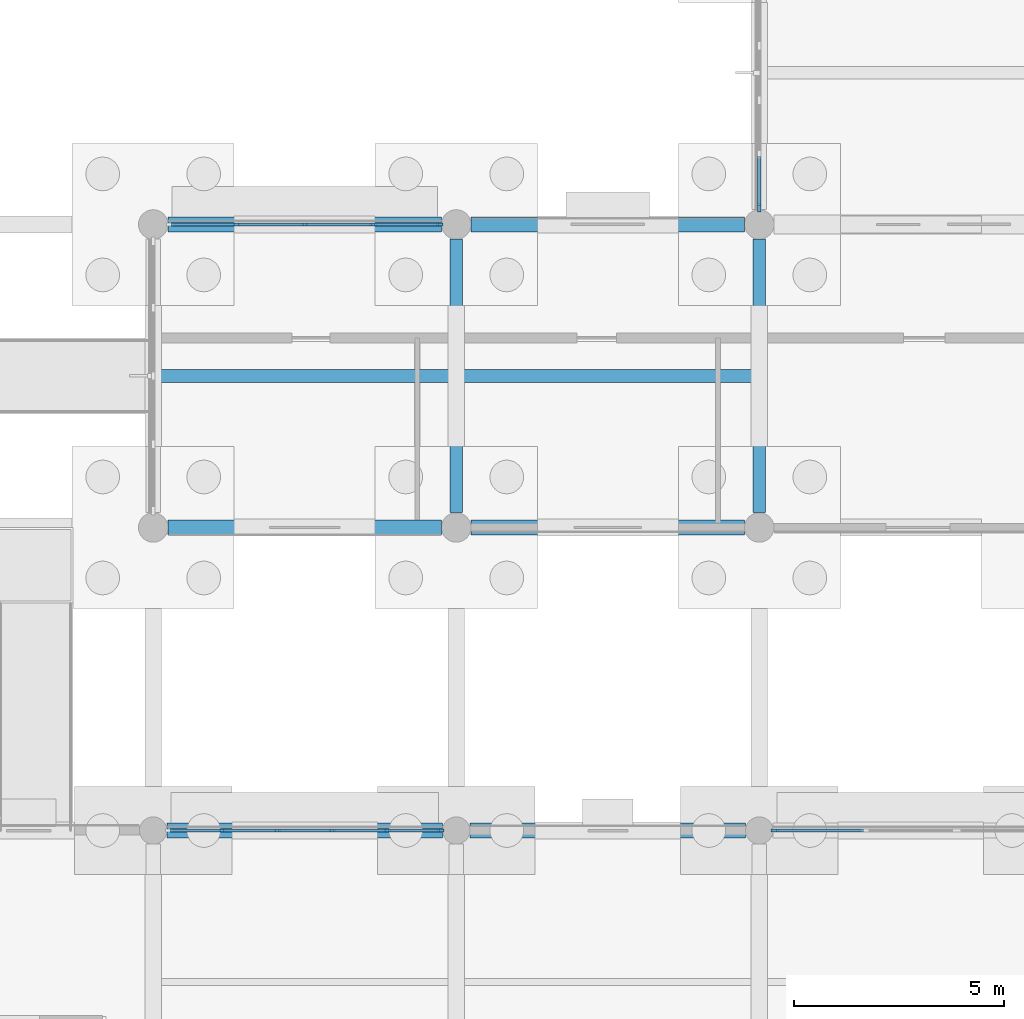
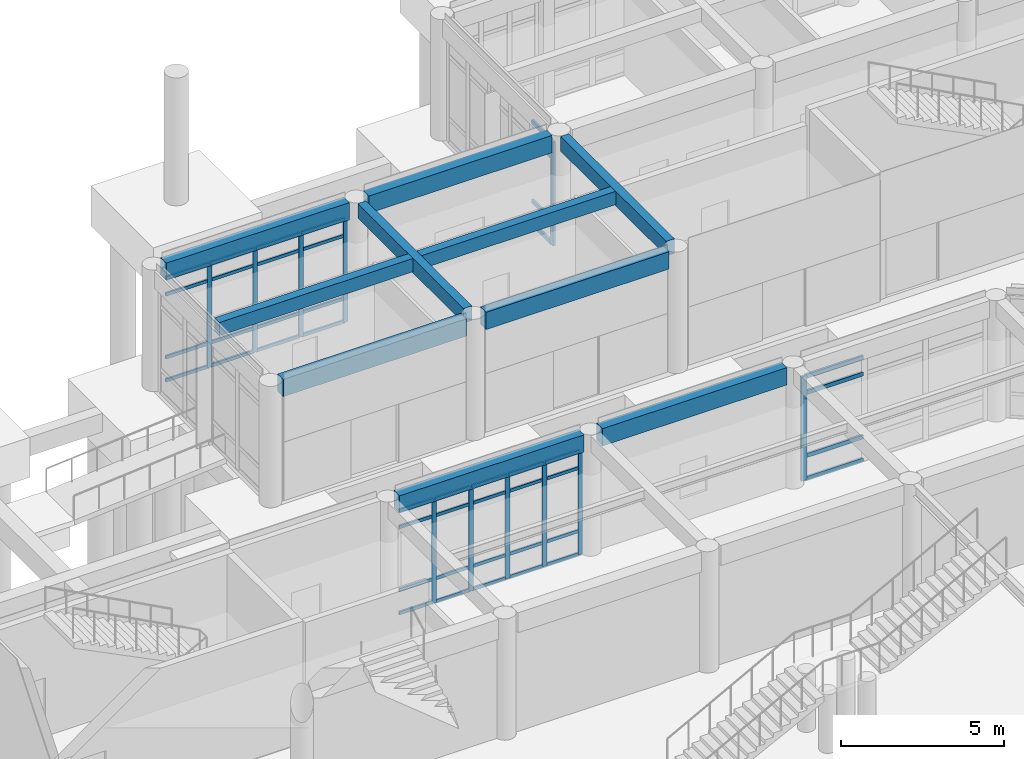
# One storey, part 27 of 103: 55 members, 10 beams, 4 elements without a shape of their own.
"""IFC4 building model written with IfcOpenShell, lengths in metres."""

from ifc_helpers import new_model, si_unit, direction, frame, origin, origin_2d, place, context, subcontext, project, spatial, rectangle, extrude, material, layer, layer_set, material_profile, profile_set, type_object, element, aggregate, save


model = new_model("IFC4")

# Units and contexts
model_context = context("Model", 3, precision=1e-05, world=origin(), true_north=direction((0.0, 1.0)))
body_context = subcontext(model_context, "Body", "Model", "MODEL_VIEW")
ifc_project = project(units=[si_unit("LENGTHUNIT", "METRE"), si_unit("AREAUNIT", "SQUARE_METRE"), si_unit("VOLUMEUNIT", "CUBIC_METRE"), si_unit("PLANEANGLEUNIT", "RADIAN"), si_unit("MASSUNIT", "GRAM", prefix="KILO")], contexts=[model_context])

# Site, building, storey
site_placement = place(None, origin())
site = spatial("IfcSite", under=ifc_project, at=site_placement, CompositionType="ELEMENT")
building_placement = place(site_placement, origin())
building = spatial("IfcBuilding", under=site, at=building_placement, Name="Namkhue Oval Health Centre", CompositionType="ELEMENT")
storey_placement = place(building_placement, origin())
storey = spatial("IfcBuildingStorey", under=building, at=storey_placement, Name="L00", CompositionType="ELEMENT", Elevation=0.0)

# Curtain wall, members
ifc_material_1 = material(Name="Anodised aluminium EN AW-6063 T6", Category="aluminium")
ifc_layer_1 = layer(ifc_material_1, 0.159912109375)
ifc_layer_set_1 = layer_set([ifc_layer_1], Name="Anodised aluminium EN AW-6063 T6")
curtain_wall_type_1 = type_object("IfcCurtainWallType", Name="UNITISED CURTAIN WALL M1200", PredefinedType="NOTDEFINED", material=ifc_layer_set_1)
curtain_wall_1_placement = place(storey_placement, origin())
curtain_wall_1 = element("IfcCurtainWall", 1, at=curtain_wall_1_placement, inside=storey, type_object=curtain_wall_type_1, Name="Volume V1 L00 Unitised Curtain Wall 13", PredefinedType="NOTDEFINED")
ifc_material_profile_1 = material_profile(ifc_material_1, rectangle(XDim=0.06494140625, YDim=0.159912109375, at=origin_2d()), Name="ALU 65x160")
ifc_profile_set_1 = profile_set([ifc_material_profile_1], Name="Anodised aluminium EN AW-6063 T6")
member_type_1 = type_object("IfcMemberType", Name="CURTAIN WALL MULLION 65X160", PredefinedType="MULLION", material=ifc_profile_set_1)
member_1_placement = place(storey_placement, frame((42.83251953125, 82.800048828125, 0.0), z_axis=(0.0, 0.0, 1.0), x_axis=(0.0, -1.0, 0.0)))
member_1 = element("IfcMember", 2, at=member_1_placement, type_object=member_type_1, Name="CW-01 mullion 1", PredefinedType="MULLION", context=body_context, shape_type="SweptSolid", body=[
    extrude(rectangle(XDim=0.06494140625, YDim=0.159912109375, at=origin_2d()), origin(), (0.0, 0.0, 1.0), 3.9150390625),
])
member_2_placement = place(storey_placement, frame((41.55908203125, 82.800048828125, 0.0), z_axis=(0.0, 0.0, 1.0), x_axis=(0.0, -1.0, 0.0)))
member_2 = element("IfcMember", 3, at=member_2_placement, type_object=member_type_1, Name="CW-01 mullion 2", PredefinedType="MULLION", context=body_context, shape_type="SweptSolid", body=[
    extrude(rectangle(XDim=0.06494140625, YDim=0.159912109375, at=origin_2d()), origin(), (0.0, 0.0, 1.0), 3.9150390625),
])
member_3_placement = place(storey_placement, frame((40.2529296875, 82.800048828125, 0.0), z_axis=(0.0, 0.0, 1.0), x_axis=(0.0, -1.0, 0.0)))
member_3 = element("IfcMember", 4, at=member_3_placement, type_object=member_type_1, Name="CW-01 mullion 3", PredefinedType="MULLION", context=body_context, shape_type="SweptSolid", body=[
    extrude(rectangle(XDim=0.06494140625, YDim=0.159912109375, at=origin_2d()), origin(), (0.0, 0.0, 1.0), 3.9150390625),
])
member_4_placement = place(storey_placement, frame((38.947021484375, 82.800048828125, 0.0), z_axis=(0.0, 0.0, 1.0), x_axis=(0.0, -1.0, 0.0)))
member_4 = element("IfcMember", 5, at=member_4_placement, type_object=member_type_1, Name="CW-01 mullion 4", PredefinedType="MULLION", context=body_context, shape_type="SweptSolid", body=[
    extrude(rectangle(XDim=0.06494140625, YDim=0.159912109375, at=origin_2d()), origin(), (0.0, 0.0, 1.0), 3.9150390625),
])
member_5_placement = place(storey_placement, frame((37.64111328125, 82.800048828125, 0.0), z_axis=(0.0, 0.0, 1.0), x_axis=(0.0, -1.0, 0.0)))
member_5 = element("IfcMember", 6, at=member_5_placement, type_object=member_type_1, Name="CW-01 mullion 5", PredefinedType="MULLION", context=body_context, shape_type="SweptSolid", body=[
    extrude(rectangle(XDim=0.06494140625, YDim=0.159912109375, at=origin_2d()), origin(), (0.0, 0.0, 1.0), 3.9150390625),
])

ifc_layer_2 = layer(ifc_material_1, 0.159912109375)
ifc_layer_set_2 = layer_set([ifc_layer_2], Name="Anodised aluminium EN AW-6063 T6")
curtain_wall_type_2 = type_object("IfcCurtainWallType", Name="UNITISED CURTAIN WALL M1500", PredefinedType="NOTDEFINED", material=ifc_layer_set_2)
curtain_wall_2_placement = place(storey_placement, origin())
curtain_wall_2 = element("IfcCurtainWall", 7, at=curtain_wall_2_placement, inside=storey, type_object=curtain_wall_type_2, Name="Volume V2 L00 Unitised Curtain Wall 45", PredefinedType="NOTDEFINED")
member_6_placement = place(storey_placement, frame((42.8076171875, 97.199951171875, 0.0), z_axis=(0.0, 0.0, 1.0), x_axis=(0.0, -1.0, 0.0)))
member_6 = element("IfcMember", 8, at=member_6_placement, type_object=member_type_1, Name="CW-03 mullion 1", PredefinedType="MULLION", context=body_context, shape_type="SweptSolid", body=[
    extrude(rectangle(XDim=0.06494140625, YDim=0.159912109375, at=origin_2d()), origin(), (0.0, 0.0, 1.0), 3.909912109375),
])
member_7_placement = place(storey_placement, frame((41.219970703125, 97.199951171875, 0.0), z_axis=(0.0, 0.0, 1.0), x_axis=(0.0, -1.0, 0.0)))
member_7 = element("IfcMember", 9, at=member_7_placement, type_object=member_type_1, Name="CW-03 mullion 2", PredefinedType="MULLION", context=body_context, shape_type="SweptSolid", body=[
    extrude(rectangle(XDim=0.06494140625, YDim=0.159912109375, at=origin_2d()), origin(), (0.0, 0.0, 1.0), 3.909912109375),
])
member_8_placement = place(storey_placement, frame((39.60009765625, 97.199951171875, 0.0), z_axis=(0.0, 0.0, 1.0), x_axis=(0.0, -1.0, 0.0)))
member_8 = element("IfcMember", 10, at=member_8_placement, type_object=member_type_1, Name="CW-03 mullion 3", PredefinedType="MULLION", context=body_context, shape_type="SweptSolid", body=[
    extrude(rectangle(XDim=0.06494140625, YDim=0.159912109375, at=origin_2d()), origin(), (0.0, 0.0, 1.0), 3.909912109375),
])
member_9_placement = place(storey_placement, frame((37.97998046875, 97.199951171875, 0.0), z_axis=(0.0, 0.0, 1.0), x_axis=(0.0, -1.0, 0.0)))
member_9 = element("IfcMember", 11, at=member_9_placement, type_object=member_type_1, Name="CW-03 mullion 4", PredefinedType="MULLION", context=body_context, shape_type="SweptSolid", body=[
    extrude(rectangle(XDim=0.06494140625, YDim=0.159912109375, at=origin_2d()), origin(), (0.0, 0.0, 1.0), 3.909912109375),
])

# Curtain wall, member
ifc_layer_3 = layer(ifc_material_1, 0.159912109375)
ifc_layer_set_3 = layer_set([ifc_layer_3], Name="Anodised aluminium EN AW-6063 T6")
curtain_wall_type_3 = type_object("IfcCurtainWallType", Name="UNITISED CURTAIN WALL M2000", PredefinedType="NOTDEFINED", material=ifc_layer_set_3)
curtain_wall_3_placement = place(storey_placement, origin())
curtain_wall_3 = element("IfcCurtainWall", 12, at=curtain_wall_3_placement, inside=storey, type_object=curtain_wall_type_3, Name="Volume V1 L00 Unitised Curtain Wall 12", PredefinedType="NOTDEFINED")
ifc_material_profile_2 = material_profile(ifc_material_1, rectangle(XDim=0.074951171875, YDim=0.199951171875, at=origin_2d()), Name="ALU 75x200")
ifc_profile_set_2 = profile_set([ifc_material_profile_2], Name="Anodised aluminium EN AW-6063 T6")
member_type_2 = type_object("IfcMemberType", Name="CURTAIN WALL MULLION 75X200", PredefinedType="MULLION", material=ifc_profile_set_2)
member_10_placement = place(storey_placement, frame((50.7724609375, 82.800048828125, 0.0), z_axis=(0.0, 0.0, 1.0), x_axis=(0.0, -1.0, 0.0)))
member_10 = element("IfcMember", 13, at=member_10_placement, type_object=member_type_2, Name="CW-06 mullion 4", PredefinedType="MULLION", context=body_context, shape_type="SweptSolid", body=[
    extrude(rectangle(XDim=0.074951171875, YDim=0.199951171875, at=origin_2d()), origin(), (0.0, 0.0, 1.0), 3.9150390625),
])

ifc_layer_4 = layer(ifc_material_1, 0.159912109375)
ifc_layer_set_4 = layer_set([ifc_layer_4], Name="Anodised aluminium EN AW-6063 T6")
curtain_wall_type_4 = type_object("IfcCurtainWallType", Name="UNITISED CURTAIN WALL M1350", PredefinedType="NOTDEFINED", material=ifc_layer_set_4)
curtain_wall_4_placement = place(storey_placement, origin())
curtain_wall_4 = element("IfcCurtainWall", 14, at=curtain_wall_4_placement, inside=storey, type_object=curtain_wall_type_4, Name="Volume V2 L00 Unitised Curtain Wall 44", PredefinedType="NOTDEFINED")
member_11_placement = place(storey_placement, frame((50.39990234375, 97.597412109375, 0.0), z_axis=(0.0, 0.0, 1.0), x_axis=(1.0, 0.0, 0.0)))
member_11 = element("IfcMember", 15, at=member_11_placement, type_object=member_type_2, Name="CW-02 mullion 6", PredefinedType="MULLION", context=body_context, shape_type="SweptSolid", body=[
    extrude(rectangle(XDim=0.074951171875, YDim=0.199951171875, at=origin_2d()), origin(), (0.0, 0.0, 1.0), 3.909912109375),
])

# Member
ifc_material_profile_3 = material_profile(ifc_material_1, rectangle(XDim=0.06494140625, YDim=0.1201171875, at=origin_2d()), Name="ALU 65x120")
ifc_profile_set_3 = profile_set([ifc_material_profile_3], Name="Anodised aluminium EN AW-6063 T6")
member_type_3 = type_object("IfcMemberType", Name="CURTAIN WALL TRANSOM 65X120", PredefinedType="USERDEFINED", material=ifc_profile_set_3)
member_12_placement = place(storey_placement, frame((42.800048828125, 82.800048828125, 0.032470703125), z_axis=(-1.0, 0.0, 0.0), x_axis=(0.0, -1.0, 0.0)))
member_12 = element("IfcMember", 16, at=member_12_placement, type_object=member_type_3, Name="CW-01 transom 1.1", ObjectType="TRANSOM", PredefinedType="USERDEFINED", context=body_context, shape_type="SweptSolid", body=[
    extrude(rectangle(XDim=0.06494140625, YDim=0.1201171875, at=origin_2d()), origin(), (0.0, 0.0, 1.0), 1.20849609375),
])

member_13_placement = place(storey_placement, frame((42.800048828125, 82.800048828125, 0.89990234375), z_axis=(-1.0, 0.0, 0.0), x_axis=(0.0, -1.0, 0.0)))
member_13 = element("IfcMember", 17, at=member_13_placement, type_object=member_type_3, Name="CW-01 transom 1.2", ObjectType="TRANSOM", PredefinedType="USERDEFINED", context=body_context, shape_type="SweptSolid", body=[
    extrude(rectangle(XDim=0.06494140625, YDim=0.1201171875, at=origin_2d()), origin(), (0.0, 0.0, 1.0), 1.20849609375),
])

member_14_placement = place(storey_placement, frame((42.800048828125, 82.800048828125, 3.264892578125), z_axis=(-1.0, 0.0, 0.0), x_axis=(0.0, -1.0, 0.0)))
member_14 = element("IfcMember", 18, at=member_14_placement, type_object=member_type_3, Name="CW-01 transom 1.3", ObjectType="TRANSOM", PredefinedType="USERDEFINED", context=body_context, shape_type="SweptSolid", body=[
    extrude(rectangle(XDim=0.06494140625, YDim=0.1201171875, at=origin_2d()), origin(), (0.0, 0.0, 1.0), 1.20849609375),
])

member_15_placement = place(storey_placement, frame((42.800048828125, 82.800048828125, 3.882568359375), z_axis=(-1.0, 0.0, 0.0), x_axis=(0.0, -1.0, 0.0)))
member_15 = element("IfcMember", 19, at=member_15_placement, type_object=member_type_3, Name="CW-01 transom 1.4", ObjectType="TRANSOM", PredefinedType="USERDEFINED", context=body_context, shape_type="SweptSolid", body=[
    extrude(rectangle(XDim=0.06494140625, YDim=0.1201171875, at=origin_2d()), origin(), (0.0, 0.0, 1.0), 1.20849609375),
])

member_16_placement = place(storey_placement, frame((41.526611328125, 82.800048828125, 0.032470703125), z_axis=(-1.0, 0.0, 0.0), x_axis=(0.0, -1.0, 0.0)))
member_16 = element("IfcMember", 20, at=member_16_placement, type_object=member_type_3, Name="CW-01 transom 2.1", ObjectType="TRANSOM", PredefinedType="USERDEFINED", context=body_context, shape_type="SweptSolid", body=[
    extrude(rectangle(XDim=0.06494140625, YDim=0.1201171875, at=origin_2d()), origin(), (0.0, 0.0, 1.0), 1.2412109375),
])

member_17_placement = place(storey_placement, frame((41.526611328125, 82.800048828125, 0.89990234375), z_axis=(-1.0, 0.0, 0.0), x_axis=(0.0, -1.0, 0.0)))
member_17 = element("IfcMember", 21, at=member_17_placement, type_object=member_type_3, Name="CW-01 transom 2.2", ObjectType="TRANSOM", PredefinedType="USERDEFINED", context=body_context, shape_type="SweptSolid", body=[
    extrude(rectangle(XDim=0.06494140625, YDim=0.1201171875, at=origin_2d()), origin(), (0.0, 0.0, 1.0), 1.2412109375),
])

member_18_placement = place(storey_placement, frame((41.526611328125, 82.800048828125, 3.264892578125), z_axis=(-1.0, 0.0, 0.0), x_axis=(0.0, -1.0, 0.0)))
member_18 = element("IfcMember", 22, at=member_18_placement, type_object=member_type_3, Name="CW-01 transom 2.3", ObjectType="TRANSOM", PredefinedType="USERDEFINED", context=body_context, shape_type="SweptSolid", body=[
    extrude(rectangle(XDim=0.06494140625, YDim=0.1201171875, at=origin_2d()), origin(), (0.0, 0.0, 1.0), 1.2412109375),
])

member_19_placement = place(storey_placement, frame((41.526611328125, 82.800048828125, 3.882568359375), z_axis=(-1.0, 0.0, 0.0), x_axis=(0.0, -1.0, 0.0)))
member_19 = element("IfcMember", 23, at=member_19_placement, type_object=member_type_3, Name="CW-01 transom 2.4", ObjectType="TRANSOM", PredefinedType="USERDEFINED", context=body_context, shape_type="SweptSolid", body=[
    extrude(rectangle(XDim=0.06494140625, YDim=0.1201171875, at=origin_2d()), origin(), (0.0, 0.0, 1.0), 1.2412109375),
])

member_20_placement = place(storey_placement, frame((40.220458984375, 82.800048828125, 0.032470703125), z_axis=(-1.0, 0.0, 0.0), x_axis=(0.0, -1.0, 0.0)))
member_20 = element("IfcMember", 24, at=member_20_placement, type_object=member_type_3, Name="CW-01 transom 3.1", ObjectType="TRANSOM", PredefinedType="USERDEFINED", context=body_context, shape_type="SweptSolid", body=[
    extrude(rectangle(XDim=0.06494140625, YDim=0.1201171875, at=origin_2d()), origin(), (0.0, 0.0, 1.0), 1.240966796875),
])

member_21_placement = place(storey_placement, frame((40.220458984375, 82.800048828125, 0.89990234375), z_axis=(-1.0, 0.0, 0.0), x_axis=(0.0, -1.0, 0.0)))
member_21 = element("IfcMember", 25, at=member_21_placement, type_object=member_type_3, Name="CW-01 transom 3.2", ObjectType="TRANSOM", PredefinedType="USERDEFINED", context=body_context, shape_type="SweptSolid", body=[
    extrude(rectangle(XDim=0.06494140625, YDim=0.1201171875, at=origin_2d()), origin(), (0.0, 0.0, 1.0), 1.240966796875),
])

member_22_placement = place(storey_placement, frame((40.220458984375, 82.800048828125, 3.264892578125), z_axis=(-1.0, 0.0, 0.0), x_axis=(0.0, -1.0, 0.0)))
member_22 = element("IfcMember", 26, at=member_22_placement, type_object=member_type_3, Name="CW-01 transom 3.3", ObjectType="TRANSOM", PredefinedType="USERDEFINED", context=body_context, shape_type="SweptSolid", body=[
    extrude(rectangle(XDim=0.06494140625, YDim=0.1201171875, at=origin_2d()), origin(), (0.0, 0.0, 1.0), 1.240966796875),
])

member_23_placement = place(storey_placement, frame((40.220458984375, 82.800048828125, 3.882568359375), z_axis=(-1.0, 0.0, 0.0), x_axis=(0.0, -1.0, 0.0)))
member_23 = element("IfcMember", 27, at=member_23_placement, type_object=member_type_3, Name="CW-01 transom 3.4", ObjectType="TRANSOM", PredefinedType="USERDEFINED", context=body_context, shape_type="SweptSolid", body=[
    extrude(rectangle(XDim=0.06494140625, YDim=0.1201171875, at=origin_2d()), origin(), (0.0, 0.0, 1.0), 1.240966796875),
])

member_24_placement = place(storey_placement, frame((38.91455078125, 82.800048828125, 0.032470703125), z_axis=(-1.0, 0.0, 0.0), x_axis=(0.0, -1.0, 0.0)))
member_24 = element("IfcMember", 28, at=member_24_placement, type_object=member_type_3, Name="CW-01 transom 4.1", ObjectType="TRANSOM", PredefinedType="USERDEFINED", context=body_context, shape_type="SweptSolid", body=[
    extrude(rectangle(XDim=0.06494140625, YDim=0.1201171875, at=origin_2d()), origin(), (0.0, 0.0, 1.0), 1.240966796875),
])

member_25_placement = place(storey_placement, frame((38.91455078125, 82.800048828125, 0.89990234375), z_axis=(-1.0, 0.0, 0.0), x_axis=(0.0, -1.0, 0.0)))
member_25 = element("IfcMember", 29, at=member_25_placement, type_object=member_type_3, Name="CW-01 transom 4.2", ObjectType="TRANSOM", PredefinedType="USERDEFINED", context=body_context, shape_type="SweptSolid", body=[
    extrude(rectangle(XDim=0.06494140625, YDim=0.1201171875, at=origin_2d()), origin(), (0.0, 0.0, 1.0), 1.240966796875),
])

member_26_placement = place(storey_placement, frame((38.91455078125, 82.800048828125, 3.264892578125), z_axis=(-1.0, 0.0, 0.0), x_axis=(0.0, -1.0, 0.0)))
member_26 = element("IfcMember", 30, at=member_26_placement, type_object=member_type_3, Name="CW-01 transom 4.3", ObjectType="TRANSOM", PredefinedType="USERDEFINED", context=body_context, shape_type="SweptSolid", body=[
    extrude(rectangle(XDim=0.06494140625, YDim=0.1201171875, at=origin_2d()), origin(), (0.0, 0.0, 1.0), 1.240966796875),
])

member_27_placement = place(storey_placement, frame((38.91455078125, 82.800048828125, 3.882568359375), z_axis=(-1.0, 0.0, 0.0), x_axis=(0.0, -1.0, 0.0)))
member_27 = element("IfcMember", 31, at=member_27_placement, type_object=member_type_3, Name="CW-01 transom 4.4", ObjectType="TRANSOM", PredefinedType="USERDEFINED", context=body_context, shape_type="SweptSolid", body=[
    extrude(rectangle(XDim=0.06494140625, YDim=0.1201171875, at=origin_2d()), origin(), (0.0, 0.0, 1.0), 1.240966796875),
])

member_28_placement = place(storey_placement, frame((37.6083984375, 82.800048828125, 0.032470703125), z_axis=(-1.0, 0.0, 0.0), x_axis=(0.0, -1.0, 0.0)))
member_28 = element("IfcMember", 32, at=member_28_placement, type_object=member_type_3, Name="CW-01 transom 5.1", ObjectType="TRANSOM", PredefinedType="USERDEFINED", context=body_context, shape_type="SweptSolid", body=[
    extrude(rectangle(XDim=0.06494140625, YDim=0.1201171875, at=origin_2d()), origin(), (0.0, 0.0, 1.0), 1.20849609375),
])

member_29_placement = place(storey_placement, frame((37.6083984375, 82.800048828125, 0.89990234375), z_axis=(-1.0, 0.0, 0.0), x_axis=(0.0, -1.0, 0.0)))
member_29 = element("IfcMember", 33, at=member_29_placement, type_object=member_type_3, Name="CW-01 transom 5.2", ObjectType="TRANSOM", PredefinedType="USERDEFINED", context=body_context, shape_type="SweptSolid", body=[
    extrude(rectangle(XDim=0.06494140625, YDim=0.1201171875, at=origin_2d()), origin(), (0.0, 0.0, 1.0), 1.20849609375),
])

member_30_placement = place(storey_placement, frame((37.6083984375, 82.800048828125, 3.264892578125), z_axis=(-1.0, 0.0, 0.0), x_axis=(0.0, -1.0, 0.0)))
member_30 = element("IfcMember", 34, at=member_30_placement, type_object=member_type_3, Name="CW-01 transom 5.3", ObjectType="TRANSOM", PredefinedType="USERDEFINED", context=body_context, shape_type="SweptSolid", body=[
    extrude(rectangle(XDim=0.06494140625, YDim=0.1201171875, at=origin_2d()), origin(), (0.0, 0.0, 1.0), 1.20849609375),
])

member_31_placement = place(storey_placement, frame((37.6083984375, 82.800048828125, 3.882568359375), z_axis=(-1.0, 0.0, 0.0), x_axis=(0.0, -1.0, 0.0)))
member_31 = element("IfcMember", 35, at=member_31_placement, type_object=member_type_3, Name="CW-01 transom 5.4", ObjectType="TRANSOM", PredefinedType="USERDEFINED", context=body_context, shape_type="SweptSolid", body=[
    extrude(rectangle(XDim=0.06494140625, YDim=0.1201171875, at=origin_2d()), origin(), (0.0, 0.0, 1.0), 1.20849609375),
])

aggregate(curtain_wall_1, [member_1, member_2, member_3, member_4, member_5, member_12, member_13, member_14, member_15, member_16, member_17, member_18, member_19, member_20, member_21, member_22, member_23, member_24, member_25, member_26, member_27, member_28, member_29, member_30, member_31])

member_32_placement = place(storey_placement, frame((42.77490234375, 97.199951171875, 0.032470703125), z_axis=(-1.0, 0.0, 0.0), x_axis=(0.0, -1.0, 0.0)))
member_32 = element("IfcMember", 36, at=member_32_placement, type_object=member_type_3, Name="CW-03 transom 1.1", ObjectType="TRANSOM", PredefinedType="USERDEFINED", context=body_context, shape_type="SweptSolid", body=[
    extrude(rectangle(XDim=0.06494140625, YDim=0.1201171875, at=origin_2d()), origin(), (0.0, 0.0, 1.0), 1.5224609375),
])

member_33_placement = place(storey_placement, frame((42.77490234375, 97.199951171875, 0.89990234375), z_axis=(-1.0, 0.0, 0.0), x_axis=(0.0, -1.0, 0.0)))
member_33 = element("IfcMember", 37, at=member_33_placement, type_object=member_type_3, Name="CW-03 transom 1.2", ObjectType="TRANSOM", PredefinedType="USERDEFINED", context=body_context, shape_type="SweptSolid", body=[
    extrude(rectangle(XDim=0.06494140625, YDim=0.1201171875, at=origin_2d()), origin(), (0.0, 0.0, 1.0), 1.5224609375),
])

member_34_placement = place(storey_placement, frame((42.77490234375, 97.199951171875, 3.260009765625), z_axis=(-1.0, 0.0, 0.0), x_axis=(0.0, -1.0, 0.0)))
member_34 = element("IfcMember", 38, at=member_34_placement, type_object=member_type_3, Name="CW-03 transom 1.3", ObjectType="TRANSOM", PredefinedType="USERDEFINED", context=body_context, shape_type="SweptSolid", body=[
    extrude(rectangle(XDim=0.06494140625, YDim=0.1201171875, at=origin_2d()), origin(), (0.0, 0.0, 1.0), 1.5224609375),
])

member_35_placement = place(storey_placement, frame((42.77490234375, 97.199951171875, 3.87744140625), z_axis=(-1.0, 0.0, 0.0), x_axis=(0.0, -1.0, 0.0)))
member_35 = element("IfcMember", 39, at=member_35_placement, type_object=member_type_3, Name="CW-03 transom 1.4", ObjectType="TRANSOM", PredefinedType="USERDEFINED", context=body_context, shape_type="SweptSolid", body=[
    extrude(rectangle(XDim=0.06494140625, YDim=0.1201171875, at=origin_2d()), origin(), (0.0, 0.0, 1.0), 1.5224609375),
])

member_36_placement = place(storey_placement, frame((41.1875, 97.199951171875, 0.032470703125), z_axis=(-1.0, 0.0, 0.0), x_axis=(0.0, -1.0, 0.0)))
member_36 = element("IfcMember", 40, at=member_36_placement, type_object=member_type_3, Name="CW-03 transom 2.1", ObjectType="TRANSOM", PredefinedType="USERDEFINED", context=body_context, shape_type="SweptSolid", body=[
    extrude(rectangle(XDim=0.06494140625, YDim=0.1201171875, at=origin_2d()), origin(), (0.0, 0.0, 1.0), 1.554931640625),
])

member_37_placement = place(storey_placement, frame((41.1875, 97.199951171875, 0.89990234375), z_axis=(-1.0, 0.0, 0.0), x_axis=(0.0, -1.0, 0.0)))
member_37 = element("IfcMember", 41, at=member_37_placement, type_object=member_type_3, Name="CW-03 transom 2.2", ObjectType="TRANSOM", PredefinedType="USERDEFINED", context=body_context, shape_type="SweptSolid", body=[
    extrude(rectangle(XDim=0.06494140625, YDim=0.1201171875, at=origin_2d()), origin(), (0.0, 0.0, 1.0), 1.554931640625),
])

member_38_placement = place(storey_placement, frame((41.1875, 97.199951171875, 3.260009765625), z_axis=(-1.0, 0.0, 0.0), x_axis=(0.0, -1.0, 0.0)))
member_38 = element("IfcMember", 42, at=member_38_placement, type_object=member_type_3, Name="CW-03 transom 2.3", ObjectType="TRANSOM", PredefinedType="USERDEFINED", context=body_context, shape_type="SweptSolid", body=[
    extrude(rectangle(XDim=0.06494140625, YDim=0.1201171875, at=origin_2d()), origin(), (0.0, 0.0, 1.0), 1.554931640625),
])

member_39_placement = place(storey_placement, frame((41.1875, 97.199951171875, 3.87744140625), z_axis=(-1.0, 0.0, 0.0), x_axis=(0.0, -1.0, 0.0)))
member_39 = element("IfcMember", 43, at=member_39_placement, type_object=member_type_3, Name="CW-03 transom 2.4", ObjectType="TRANSOM", PredefinedType="USERDEFINED", context=body_context, shape_type="SweptSolid", body=[
    extrude(rectangle(XDim=0.06494140625, YDim=0.1201171875, at=origin_2d()), origin(), (0.0, 0.0, 1.0), 1.554931640625),
])

member_40_placement = place(storey_placement, frame((39.5673828125, 97.199951171875, 0.032470703125), z_axis=(-1.0, 0.0, 0.0), x_axis=(0.0, -1.0, 0.0)))
member_40 = element("IfcMember", 44, at=member_40_placement, type_object=member_type_3, Name="CW-03 transom 3.1", ObjectType="TRANSOM", PredefinedType="USERDEFINED", context=body_context, shape_type="SweptSolid", body=[
    extrude(rectangle(XDim=0.06494140625, YDim=0.1201171875, at=origin_2d()), origin(), (0.0, 0.0, 1.0), 1.554931640625),
])

member_41_placement = place(storey_placement, frame((39.5673828125, 97.199951171875, 0.89990234375), z_axis=(-1.0, 0.0, 0.0), x_axis=(0.0, -1.0, 0.0)))
member_41 = element("IfcMember", 45, at=member_41_placement, type_object=member_type_3, Name="CW-03 transom 3.2", ObjectType="TRANSOM", PredefinedType="USERDEFINED", context=body_context, shape_type="SweptSolid", body=[
    extrude(rectangle(XDim=0.06494140625, YDim=0.1201171875, at=origin_2d()), origin(), (0.0, 0.0, 1.0), 1.554931640625),
])

member_42_placement = place(storey_placement, frame((39.5673828125, 97.199951171875, 3.260009765625), z_axis=(-1.0, 0.0, 0.0), x_axis=(0.0, -1.0, 0.0)))
member_42 = element("IfcMember", 46, at=member_42_placement, type_object=member_type_3, Name="CW-03 transom 3.3", ObjectType="TRANSOM", PredefinedType="USERDEFINED", context=body_context, shape_type="SweptSolid", body=[
    extrude(rectangle(XDim=0.06494140625, YDim=0.1201171875, at=origin_2d()), origin(), (0.0, 0.0, 1.0), 1.554931640625),
])

member_43_placement = place(storey_placement, frame((39.5673828125, 97.199951171875, 3.87744140625), z_axis=(-1.0, 0.0, 0.0), x_axis=(0.0, -1.0, 0.0)))
member_43 = element("IfcMember", 47, at=member_43_placement, type_object=member_type_3, Name="CW-03 transom 3.4", ObjectType="TRANSOM", PredefinedType="USERDEFINED", context=body_context, shape_type="SweptSolid", body=[
    extrude(rectangle(XDim=0.06494140625, YDim=0.1201171875, at=origin_2d()), origin(), (0.0, 0.0, 1.0), 1.554931640625),
])

member_44_placement = place(storey_placement, frame((37.947509765625, 97.199951171875, 0.032470703125), z_axis=(-1.0, 0.0, 0.0), x_axis=(0.0, -1.0, 0.0)))
member_44 = element("IfcMember", 48, at=member_44_placement, type_object=member_type_3, Name="CW-03 transom 4.1", ObjectType="TRANSOM", PredefinedType="USERDEFINED", context=body_context, shape_type="SweptSolid", body=[
    extrude(rectangle(XDim=0.06494140625, YDim=0.1201171875, at=origin_2d()), origin(), (0.0, 0.0, 1.0), 1.5224609375),
])

member_45_placement = place(storey_placement, frame((37.947509765625, 97.199951171875, 0.89990234375), z_axis=(-1.0, 0.0, 0.0), x_axis=(0.0, -1.0, 0.0)))
member_45 = element("IfcMember", 49, at=member_45_placement, type_object=member_type_3, Name="CW-03 transom 4.2", ObjectType="TRANSOM", PredefinedType="USERDEFINED", context=body_context, shape_type="SweptSolid", body=[
    extrude(rectangle(XDim=0.06494140625, YDim=0.1201171875, at=origin_2d()), origin(), (0.0, 0.0, 1.0), 1.5224609375),
])

member_46_placement = place(storey_placement, frame((37.947509765625, 97.199951171875, 3.260009765625), z_axis=(-1.0, 0.0, 0.0), x_axis=(0.0, -1.0, 0.0)))
member_46 = element("IfcMember", 50, at=member_46_placement, type_object=member_type_3, Name="CW-03 transom 4.3", ObjectType="TRANSOM", PredefinedType="USERDEFINED", context=body_context, shape_type="SweptSolid", body=[
    extrude(rectangle(XDim=0.06494140625, YDim=0.1201171875, at=origin_2d()), origin(), (0.0, 0.0, 1.0), 1.5224609375),
])

member_47_placement = place(storey_placement, frame((37.947509765625, 97.199951171875, 3.87744140625), z_axis=(-1.0, 0.0, 0.0), x_axis=(0.0, -1.0, 0.0)))
member_47 = element("IfcMember", 51, at=member_47_placement, type_object=member_type_3, Name="CW-03 transom 4.4", ObjectType="TRANSOM", PredefinedType="USERDEFINED", context=body_context, shape_type="SweptSolid", body=[
    extrude(rectangle(XDim=0.06494140625, YDim=0.1201171875, at=origin_2d()), origin(), (0.0, 0.0, 1.0), 1.5224609375),
])

aggregate(curtain_wall_2, [member_6, member_7, member_8, member_9, member_32, member_33, member_34, member_35, member_36, member_37, member_38, member_39, member_40, member_41, member_42, member_43, member_44, member_45, member_46, member_47])

ifc_material_profile_4 = material_profile(ifc_material_1, rectangle(XDim=0.074951171875, YDim=0.14990234375, at=origin_2d()), Name="ALU 75x150")
ifc_profile_set_4 = profile_set([ifc_material_profile_4], Name="Anodised aluminium EN AW-6063 T6")
member_type_4 = type_object("IfcMemberType", Name="CURTAIN WALL TRANSOM 75X150", PredefinedType="USERDEFINED", material=ifc_profile_set_4)
member_48_placement = place(storey_placement, frame((52.874267578125, 82.800048828125, 0.03759765625), z_axis=(-1.0, 0.0, 0.0), x_axis=(0.0, -1.0, 0.0)))
member_48 = element("IfcMember", 52, at=member_48_placement, type_object=member_type_4, Name="CW-06 transom 3.1", ObjectType="TRANSOM", PredefinedType="USERDEFINED", context=body_context, shape_type="SweptSolid", body=[
    extrude(rectangle(XDim=0.074951171875, YDim=0.14990234375, at=origin_2d()), origin(), (0.0, 0.0, 1.0), 2.064208984375),
])

member_49_placement = place(storey_placement, frame((52.874267578125, 82.800048828125, 0.89990234375), z_axis=(-1.0, 0.0, 0.0), x_axis=(0.0, -1.0, 0.0)))
member_49 = element("IfcMember", 53, at=member_49_placement, type_object=member_type_4, Name="CW-06 transom 3.2", ObjectType="TRANSOM", PredefinedType="USERDEFINED", context=body_context, shape_type="SweptSolid", body=[
    extrude(rectangle(XDim=0.074951171875, YDim=0.14990234375, at=origin_2d()), origin(), (0.0, 0.0, 1.0), 2.064208984375),
])

member_50_placement = place(storey_placement, frame((52.874267578125, 82.800048828125, 3.264892578125), z_axis=(-1.0, 0.0, 0.0), x_axis=(0.0, -1.0, 0.0)))
member_50 = element("IfcMember", 54, at=member_50_placement, type_object=member_type_4, Name="CW-06 transom 3.3", ObjectType="TRANSOM", PredefinedType="USERDEFINED", context=body_context, shape_type="SweptSolid", body=[
    extrude(rectangle(XDim=0.074951171875, YDim=0.14990234375, at=origin_2d()), origin(), (0.0, 0.0, 1.0), 2.064208984375),
])

member_51_placement = place(storey_placement, frame((52.874267578125, 82.800048828125, 3.87744140625), z_axis=(-1.0, 0.0, 0.0), x_axis=(0.0, -1.0, 0.0)))
member_51 = element("IfcMember", 55, at=member_51_placement, type_object=member_type_4, Name="CW-06 transom 3.4", ObjectType="TRANSOM", PredefinedType="USERDEFINED", context=body_context, shape_type="SweptSolid", body=[
    extrude(rectangle(XDim=0.074951171875, YDim=0.14990234375, at=origin_2d()), origin(), (0.0, 0.0, 1.0), 2.064208984375),
])

aggregate(curtain_wall_3, [member_10, member_48, member_49, member_50, member_51])

member_52_placement = place(storey_placement, frame((50.39990234375, 98.818603515625, 0.03759765625), z_axis=(0.0, -1.0, 0.0), x_axis=(1.0, 0.0, 0.0)))
member_52 = element("IfcMember", 56, at=member_52_placement, type_object=member_type_4, Name="CW-02 transom 5.1", ObjectType="TRANSOM", PredefinedType="USERDEFINED", context=body_context, shape_type="SweptSolid", body=[
    extrude(rectangle(XDim=0.074951171875, YDim=0.14990234375, at=origin_2d()), origin(), (0.0, 0.0, 1.0), 1.18359375),
])

member_53_placement = place(storey_placement, frame((50.39990234375, 98.818603515625, 0.89990234375), z_axis=(0.0, -1.0, 0.0), x_axis=(1.0, 0.0, 0.0)))
member_53 = element("IfcMember", 57, at=member_53_placement, type_object=member_type_4, Name="CW-02 transom 5.2", ObjectType="TRANSOM", PredefinedType="USERDEFINED", context=body_context, shape_type="SweptSolid", body=[
    extrude(rectangle(XDim=0.074951171875, YDim=0.14990234375, at=origin_2d()), origin(), (0.0, 0.0, 1.0), 1.18359375),
])

member_54_placement = place(storey_placement, frame((50.39990234375, 98.818603515625, 3.260009765625), z_axis=(0.0, -1.0, 0.0), x_axis=(1.0, 0.0, 0.0)))
member_54 = element("IfcMember", 58, at=member_54_placement, type_object=member_type_4, Name="CW-02 transom 5.3", ObjectType="TRANSOM", PredefinedType="USERDEFINED", context=body_context, shape_type="SweptSolid", body=[
    extrude(rectangle(XDim=0.074951171875, YDim=0.14990234375, at=origin_2d()), origin(), (0.0, 0.0, 1.0), 1.18359375),
])

member_55_placement = place(storey_placement, frame((50.39990234375, 98.818603515625, 3.87255859375), z_axis=(0.0, -1.0, 0.0), x_axis=(1.0, 0.0, 0.0)))
member_55 = element("IfcMember", 59, at=member_55_placement, type_object=member_type_4, Name="CW-02 transom 5.4", ObjectType="TRANSOM", PredefinedType="USERDEFINED", context=body_context, shape_type="SweptSolid", body=[
    extrude(rectangle(XDim=0.074951171875, YDim=0.14990234375, at=origin_2d()), origin(), (0.0, 0.0, 1.0), 1.18359375),
])

aggregate(curtain_wall_4, [member_11, member_52, member_53, member_54, member_55])

# Beams
ifc_material_2 = material(Name="Reinforced concrete C30/37 (TCVN B35)", Category="concrete")
ifc_material_profile_5 = material_profile(ifc_material_2, rectangle(XDim=0.300048828125, YDim=0.550048828125, at=origin_2d()), Name="RC 300x550")
ifc_profile_set_5 = profile_set([ifc_material_profile_5], Name="Reinforced concrete C30/37 (TCVN B35)")
beam_type_1 = type_object("IfcBeamType", Name="FLOOR BEAM RC 300X550", PredefinedType="BEAM", material=ifc_profile_set_5)
for number, where, z_axis, x_axis, name in (
    (60, (43.199951171875, 90.35009765625, 4.284912109375), (0.0, 1.0, 0.0), (-1.0, 0.0, 0.0), "Volume V2 L01 Beam 7/N-O"),
    (61, (50.39990234375, 90.35009765625, 4.284912109375), (0.0, 1.0, 0.0), (-1.0, 0.0, 0.0), "Volume V2 L01 Beam 8/N-O"),
):
    element("IfcBeam", number, at=place(storey_placement, frame(where, z_axis=z_axis, x_axis=x_axis)), inside=storey, type_object=beam_type_1, Name=name, PredefinedType="BEAM", context=body_context, shape_type="SweptSolid", body=[
        extrude(rectangle(XDim=0.300048828125, YDim=0.550048828125, at=origin_2d()), origin(), (0.0, 0.0, 1.0), 6.5),
    ])
ifc_material_3 = material(Name="Reinforced concrete C35/45 (TCVN B40)", Category="concrete")
ifc_material_profile_6 = material_profile(ifc_material_3, rectangle(XDim=0.35009765625, YDim=0.64990234375, at=origin_2d()), Name="RC 350x650")
ifc_profile_set_6 = profile_set([ifc_material_profile_6], Name="Reinforced concrete C35/45 (TCVN B40)")
beam_type_2 = type_object("IfcBeamType", Name="PERIMETER SPANDREL BEAM 350X650", PredefinedType="SPANDREL", material=ifc_profile_set_6)
for number, where, z_axis, x_axis, name in (
    (62, (36.324951171875, 82.800048828125, 4.239990234375), (1.0, 0.0, 0.0), (0.0, 1.0, 0.0), "Volume V1 L01 Girder M/6-7"),
    (63, (43.52490234375, 82.800048828125, 4.239990234375), (1.0, 0.0, 0.0), (0.0, 1.0, 0.0), "Volume V1 L01 Girder M/7-8"),
):
    element("IfcBeam", number, at=place(storey_placement, frame(where, z_axis=z_axis, x_axis=x_axis)), inside=storey, type_object=beam_type_2, Name=name, PredefinedType="SPANDREL", context=body_context, shape_type="SweptSolid", body=[
        extrude(rectangle(XDim=0.35009765625, YDim=0.64990234375, at=origin_2d()), origin(), (0.0, 0.0, 1.0), 6.550048828125),
    ])
for number, where, z_axis, x_axis, name in (
    (64, (36.35009765625, 90.0, 4.235107421875), (1.0, 0.0, 0.0), (0.0, 1.0, 0.0), "Volume V2 L01 Girder N/6-7"),
    (65, (43.550048828125, 90.0, 4.235107421875), (1.0, 0.0, 0.0), (0.0, 1.0, 0.0), "Volume V2 L01 Girder N/7-8"),
    (66, (36.35009765625, 97.199951171875, 4.235107421875), (1.0, 0.0, 0.0), (0.0, 1.0, 0.0), "Volume V2 L01 Girder O/6-7"),
    (67, (43.550048828125, 97.199951171875, 4.235107421875), (1.0, 0.0, 0.0), (0.0, 1.0, 0.0), "Volume V2 L01 Girder O/7-8"),
):
    element("IfcBeam", number, at=place(storey_placement, frame(where, z_axis=z_axis, x_axis=x_axis)), inside=storey, type_object=beam_type_2, Name=name, PredefinedType="SPANDREL", context=body_context, shape_type="SweptSolid", body=[
        extrude(rectangle(XDim=0.35009765625, YDim=0.64990234375, at=origin_2d()), origin(), (0.0, 0.0, 1.0), 6.5),
    ])
ifc_material_profile_7 = material_profile(ifc_material_2, rectangle(XDim=0.300048828125, YDim=0.5, at=origin_2d()), Name="RC 300x500")
ifc_profile_set_7 = profile_set([ifc_material_profile_7], Name="Reinforced concrete C30/37 (TCVN B35)")
beam_type_3 = type_object("IfcBeamType", Name="SECONDARY JOIST RC 300X500", PredefinedType="JOIST", material=ifc_profile_set_7)
beam_1_placement = place(storey_placement, frame((36.175048828125, 93.60009765625, 4.31005859375), z_axis=(1.0, 0.0, 0.0), x_axis=(0.0, 1.0, 0.0)))
element("IfcBeam", 68, at=beam_1_placement, inside=storey, type_object=beam_type_3, Name="Volume V2 L01 Secondary Joist 6-7", PredefinedType="JOIST", context=body_context, shape_type="SweptSolid", body=[
    extrude(rectangle(XDim=0.300048828125, YDim=0.5, at=origin_2d()), origin(), (0.0, 0.0, 1.0), 6.875),
])
beam_2_placement = place(storey_placement, frame((43.35009765625, 93.60009765625, 4.31005859375), z_axis=(1.0, 0.0, 0.0), x_axis=(0.0, 1.0, 0.0)))
element("IfcBeam", 69, at=beam_2_placement, inside=storey, type_object=beam_type_3, Name="Volume V2 L01 Secondary Joist 7-8", PredefinedType="JOIST", context=body_context, shape_type="SweptSolid", body=[
    extrude(rectangle(XDim=0.300048828125, YDim=0.5, at=origin_2d()), origin(), (0.0, 0.0, 1.0), 6.89990234375),
])

save(model, "model.ifc")
